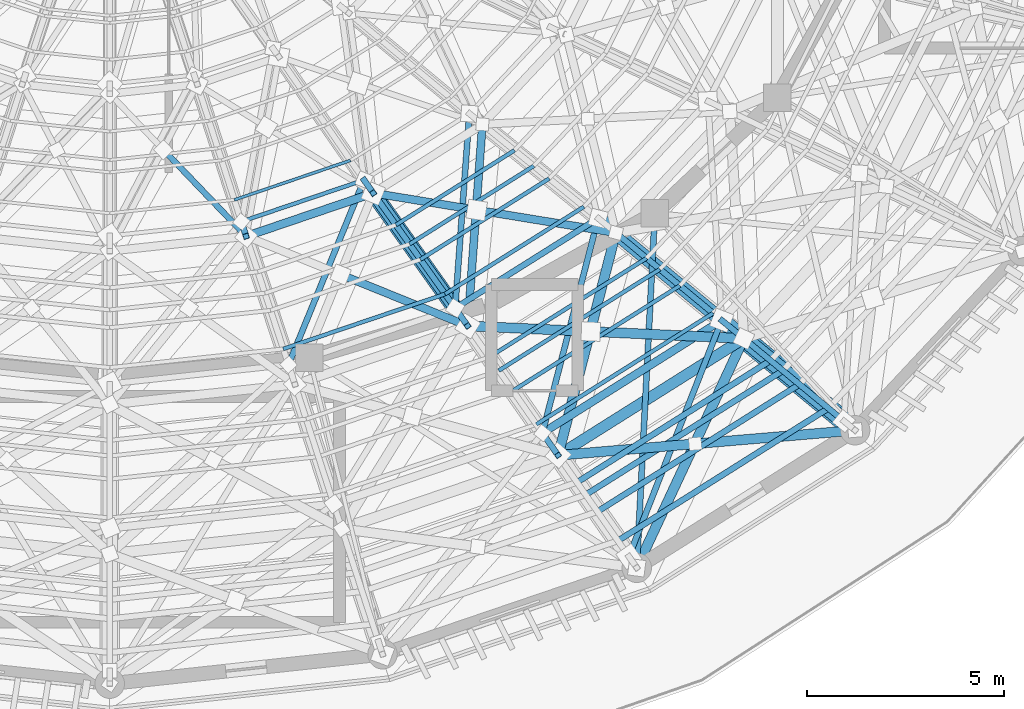
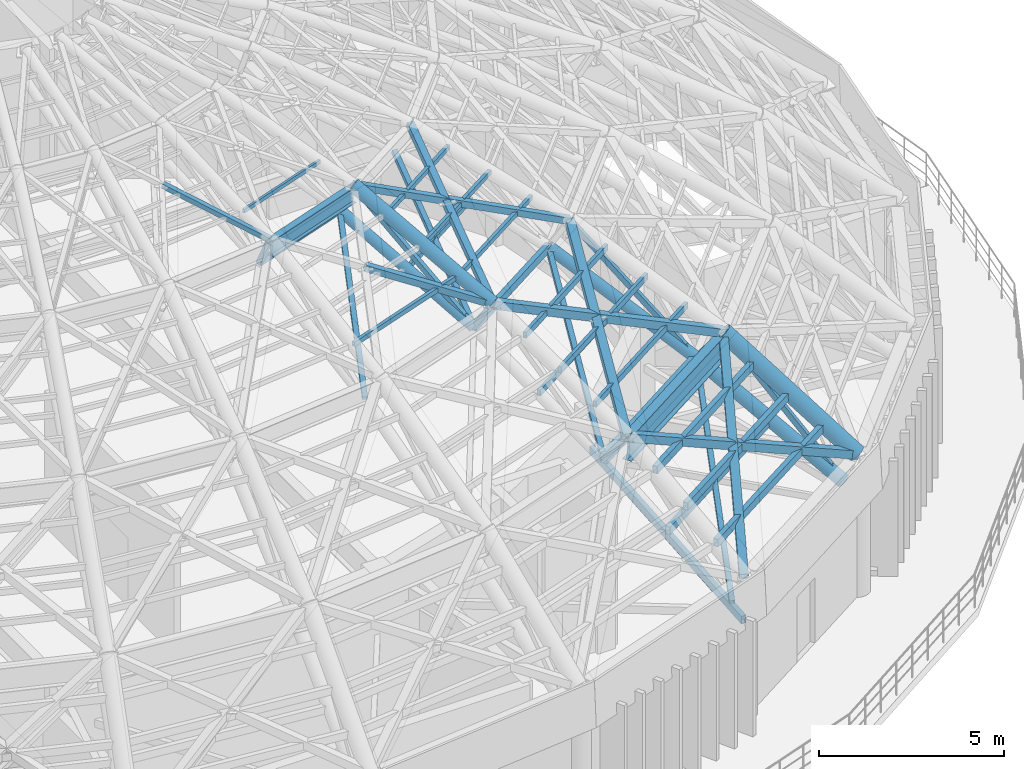
# One storey, part 16 of 50: 46 members, 2 beams.
"""IFC4 building model written with IfcOpenShell, lengths in metres."""

import ifcopenshell
import ifcopenshell.guid

model = None  # the IFC model being written
_history = None  # IfcOwnerHistory: only IFC2X3 demands one
_inside = {}  # id of a spatial element -> (the spatial element, [elements in it])
_under = {}  # id of a project, library or spatial element -> (it, [spatial elements below it])
_declared = {}  # id of a project -> (the project, [libraries it declares])
_typed = {}  # id of a type object -> (the type object, [elements of that type])
_made_of = {}  # id of a material, layer set ... -> (it, [elements and type objects made of it])


def new_model(schema):
    """Start an empty IFC model of exactly this schema.

    Asked for "IFC4X3", IfcOpenShell would pick the latest addendum, in which some entities
    have other attributes; the version numbers below select the first issue.
    IFC2X3 requires an IfcOwnerHistory on every rooted entity: one is made here for all.
    """
    global model, _history
    if schema == "IFC4X3":
        model = ifcopenshell.file(schema_version=(4, 3, 0, 0))
    else:
        model = ifcopenshell.file(schema=schema)
    _inside.clear()
    _under.clear()
    _declared.clear()
    _typed.clear()
    _made_of.clear()
    _history = None
    if model.schema == "IFC2X3":
        org = make("IfcOrganization", Name="unknown")
        user = make(
            "IfcPersonAndOrganization",
            ThePerson=make("IfcPerson", FamilyName="unknown"),
            TheOrganization=org,
        )
        app = make(
            "IfcApplication",
            ApplicationDeveloper=org,
            Version="unknown",
            ApplicationFullName="unknown",
            ApplicationIdentifier="unknown",
        )
        _history = make(
            "IfcOwnerHistory",
            OwningUser=user,
            OwningApplication=app,
            ChangeAction="ADDED",
            CreationDate=0,
        )
    return model


def make(cls, **values):
    """One entity of the class cls with the attributes given. An attribute that is None is left unset."""
    return model.create_entity(
        cls, **{name: value for name, value in values.items() if value is not None}
    )


def rooted(cls, **values):
    """An entity with a GlobalId (a new one), such as an element, a storey or a relation."""
    return make(cls, GlobalId=ifcopenshell.guid.new(), OwnerHistory=_history, **values)


def si_unit(unit_type, name, prefix=None):
    """IfcSIUnit, for example si_unit("LENGTHUNIT", "METRE", prefix="MILLI")."""
    return make("IfcSIUnit", UnitType=unit_type, Prefix=prefix, Name=name)


def assignment(units):
    """IfcUnitAssignment: the units of a project."""
    return None if units is None else make("IfcUnitAssignment", Units=units)


def point(xyz):
    """IfcCartesianPoint."""
    return None if xyz is None else make("IfcCartesianPoint", Coordinates=xyz)


def direction(xyz):
    """IfcDirection."""
    return None if xyz is None else make("IfcDirection", DirectionRatios=xyz)


def frame(location, z_axis=None, x_axis=None):
    """IfcAxis2Placement3D, a coordinate frame: its origin and axes. An axis left out is left unset."""
    return make(
        "IfcAxis2Placement3D",
        Location=point(location),
        Axis=direction(z_axis),
        RefDirection=direction(x_axis),
    )


def frame_2d(location, x_axis=None):
    """IfcAxis2Placement2D, a coordinate frame in the plane: its origin and x axis."""
    return make(
        "IfcAxis2Placement2D", Location=point(location), RefDirection=direction(x_axis)
    )


def origin():
    """The frame at (0, 0, 0) with its axes left unset."""
    return frame((0.0, 0.0, 0.0))


def origin_2d():
    """The frame at (0, 0) in the plane with its x axis left unset."""
    return frame_2d((0.0, 0.0))


def place(relative_to, where):
    """IfcLocalPlacement: puts the frame where relative to a parent placement (None: the world)."""
    return make(
        "IfcLocalPlacement", PlacementRelTo=relative_to, RelativePlacement=where
    )


def context(
    kind, dimensions, precision=None, world=None, true_north=None, identifier=None
):
    """IfcGeometricRepresentationContext, for example the 3D "Model" context."""
    return make(
        "IfcGeometricRepresentationContext",
        ContextIdentifier=identifier,
        ContextType=kind,
        CoordinateSpaceDimension=dimensions,
        Precision=precision,
        WorldCoordinateSystem=world,
        TrueNorth=true_north,
    )


def subcontext(parent, identifier, kind, view, scale=None):
    """IfcGeometricRepresentationSubContext, for example "Body" below "Model"."""
    return make(
        "IfcGeometricRepresentationSubContext",
        ContextIdentifier=identifier,
        ContextType=kind,
        ParentContext=parent,
        TargetScale=scale,
        TargetView=view,
    )


def project(units=None, contexts=None):
    """IfcProject with its units and contexts."""
    return rooted(
        "IfcProject",
        Name="project",
        RepresentationContexts=contexts,
        UnitsInContext=assignment(units),
    )


def spatial(cls, under=None, at=None, **own):
    """A site, building, storey or space (cls), placed at a placement, below another one or the project."""
    s = rooted(cls, ObjectPlacement=at, **own)
    if under is not None:
        _under.setdefault(under.id(), (under, []))[1].append(s)
    return s


def profile(cls, at=None, kind="AREA", **sizes):
    """A parametric profile (cls). Its sizes go by their IFC names, for example OverallWidth=200.0."""
    return make(cls, ProfileType=kind, Position=at, **sizes)


def hollow_rectangle(**sizes):
    """IfcRectangleHollowProfileDef."""
    return profile("IfcRectangleHollowProfileDef", **sizes)


def hollow_circle(**sizes):
    """IfcCircleHollowProfileDef."""
    return profile("IfcCircleHollowProfileDef", **sizes)


def i_section(**sizes):
    """IfcIShapeProfileDef."""
    return profile("IfcIShapeProfileDef", **sizes)


def extrude(swept, where, along, depth):
    """IfcExtrudedAreaSolid: the profile swept, set in the frame where, extruded along a direction by depth."""
    return make(
        "IfcExtrudedAreaSolid",
        SweptArea=swept,
        Position=where,
        ExtrudedDirection=direction(along),
        Depth=depth,
    )


def shape(context_of_items, identifier, shape_type, items):
    """IfcShapeRepresentation: the items that make up one representation, for example the "Body"."""
    return make(
        "IfcShapeRepresentation",
        ContextOfItems=context_of_items,
        RepresentationIdentifier=identifier,
        RepresentationType=shape_type,
        Items=items,
    )


def material(Name=None, Category=None):
    """IfcMaterial."""
    return make("IfcMaterial", Name=Name, Category=Category)


def material_profile(
    of_material, cross_section, Name=None, Category=None, Priority=None
):
    """IfcMaterialProfile: a cross section and its material."""
    return make(
        "IfcMaterialProfile",
        Name=Name,
        Material=of_material,
        Profile=cross_section,
        Priority=Priority,
        Category=Category,
    )


def profile_set(profiles, Name=None, composite=None):
    """IfcMaterialProfileSet."""
    return make(
        "IfcMaterialProfileSet",
        Name=Name,
        MaterialProfiles=profiles,
        CompositeProfile=composite,
    )


def made_of(thing, what):
    """Note that an element or type object is made of a material, layer set ...; save() writes the relation."""
    if what is not None:
        _made_of.setdefault(what.id(), (what, []))[1].append(thing)
    return thing


def type_object(cls, material=None, **own):
    """A type object (cls), such as IfcWallType, which elements share."""
    return made_of(rooted(cls, **own), material)


def element(
    cls,
    number,
    at=None,
    inside=None,
    cuts=None,
    type_object=None,
    material=None,
    context=None,
    identifier="Body",
    shape_type=None,
    held_by="IfcProductDefinitionShape",
    body=None,
    shapes=None,
    **own,
):
    """One element of the class cls, such as IfcWall. Its Tag is "e" and its number.

    at: its placement. inside: the storey or other place that contains it. cuts: it is an
    opening in that element (IfcRelVoidsElement). A single representation is given by context,
    identifier, shape_type and body (its items); several are given by shapes. held_by: the class
    of the entity that holds the representations. save() writes the other relations.
    """
    e = rooted(cls, Tag="e%d" % number, ObjectPlacement=at, **own)
    if body is not None:
        shapes = [shape(context, identifier, shape_type, body)]
    if shapes is not None:
        e.Representation = make(held_by, Representations=shapes)
    if inside is not None:
        _inside.setdefault(inside.id(), (inside, []))[1].append(e)
    if cuts is not None:
        rooted(
            "IfcRelVoidsElement", RelatingBuildingElement=cuts, RelatedOpeningElement=e
        )
    if type_object is not None:
        _typed.setdefault(type_object.id(), (type_object, []))[1].append(e)
    return made_of(e, material)


def aggregate(whole, parts):
    """IfcRelAggregates: a whole, such as a stair, and the parts it consists of."""
    return rooted("IfcRelAggregates", RelatingObject=whole, RelatedObjects=parts)


def save(model, path):
    """Write the relations noted so far, then the file.

    IfcRelAggregates (storeys below a building ...), IfcRelContainedInSpatialStructure (elements
    in a storey), IfcRelDefinesByType, IfcRelAssociatesMaterial and IfcRelDeclares: one each for
    every whole, place, type object, material and project.
    """
    for whole, parts in _under.values():
        aggregate(whole, parts)
    for where, things in _inside.values():
        rooted(
            "IfcRelContainedInSpatialStructure",
            RelatedElements=things,
            RelatingStructure=where,
        )
    for kind, things in _typed.values():
        rooted("IfcRelDefinesByType", RelatedObjects=things, RelatingType=kind)
    for what, things in _made_of.values():
        rooted("IfcRelAssociatesMaterial", RelatedObjects=things, RelatingMaterial=what)
    for by, libraries in _declared.values():
        rooted("IfcRelDeclares", RelatingContext=by, RelatedDefinitions=libraries)
    model.write(path)


model = new_model("IFC4")

# Units and contexts
model_context = context("Model", 3, precision=1e-05, world=origin(), true_north=direction((0.0, 1.0)))
body_context = subcontext(model_context, "Body", "Model", "MODEL_VIEW")
ifc_project = project(units=[si_unit("LENGTHUNIT", "METRE"), si_unit("AREAUNIT", "SQUARE_METRE"), si_unit("VOLUMEUNIT", "CUBIC_METRE"), si_unit("PLANEANGLEUNIT", "RADIAN"), si_unit("MASSUNIT", "GRAM", prefix="KILO")], contexts=[model_context])

# Site, building, storey
site_placement = place(None, origin())
site = spatial("IfcSite", under=ifc_project, at=site_placement, CompositionType="ELEMENT")
building_placement = place(site_placement, origin())
building = spatial("IfcBuilding", under=site, at=building_placement, Name="Cinderbank Siding Concert Hall", CompositionType="ELEMENT")
storey_placement = place(building_placement, frame((0.0, 0.0, 23.699951171875)))
storey = spatial("IfcBuildingStorey", under=building, at=storey_placement, Name="L06", CompositionType="ELEMENT", Elevation=23.699951171875)

# Beams
ifc_material_1 = material(Name="Structural steel AS/NZS 3679.1 Grade 350 (340 MPa)", Category="steel")
ifc_material_profile_1 = material_profile(ifc_material_1, i_section(OverallWidth=0.208984375, OverallDepth=0.532958984375, WebThickness=0.01025390625, FlangeThickness=0.015625, at=origin_2d()), Name="530UB92.4", Category="LoadBearing")
ifc_profile_set_1 = profile_set([ifc_material_profile_1], Name="Structural steel AS/NZS 3679.1 Grade 350 (340 MPa)")
beam_type_1 = type_object("IfcBeamType", Name="BM-UB530H 530UB92.4", PredefinedType="BEAM", material=ifc_profile_set_1)
beam_1_placement = place(storey_placement, frame((125.46826171875, 33.374755859375, 13.733642578125), z_axis=(0.946763589156, 0.321929660406, 0.0), x_axis=(-0.321929660406, 0.946763589156, 0.0)))
element("IfcBeam", 1, at=beam_1_placement, inside=storey, type_object=beam_type_1, Name="L06 Beam BM-UB530H #2089", PredefinedType="BEAM", context=body_context, shape_type="SweptSolid", body=[
    extrude(i_section(OverallWidth=0.208984375, OverallDepth=0.532958984375, WebThickness=0.01025390625, FlangeThickness=0.015625, at=origin_2d()), origin(), (0.0, 0.0, 1.0), 3.413330078125),
])
ifc_material_2 = material(Name="Structural steel welded plate section AS/NZS 3679.2 / AS/NZS 3678 Grade 350 (340 MPa)", Category="steel")
ifc_material_profile_2 = material_profile(ifc_material_2, i_section(OverallWidth=0.27490234375, OverallDepth=0.800048828125, WebThickness=0.010009765625, FlangeThickness=0.01611328125, at=origin_2d()), Name="800WB146", Category="LoadBearing")
ifc_profile_set_2 = profile_set([ifc_material_profile_2], Name="Structural steel welded plate section AS/NZS 3679.2 / AS/NZS 3678 Grade 350 (340 MPa)")
beam_type_2 = type_object("IfcBeamType", Name="BM-WB800 800WB146", PredefinedType="BEAM", material=ifc_profile_set_2)
beam_2_placement = place(storey_placement, frame((133.39990234375, 27.805419921875, 7.699951171875), z_axis=(0.846357040172, 0.532615959723, 0.0), x_axis=(-0.532615959723, 0.846357040172, 0.0)))
element("IfcBeam", 2, at=beam_2_placement, inside=storey, type_object=beam_type_2, Name="L06 Beam BM-WB800 #2053", PredefinedType="BEAM", context=body_context, shape_type="SweptSolid", body=[
    extrude(i_section(OverallWidth=0.27490234375, OverallDepth=0.800048828125, WebThickness=0.010009765625, FlangeThickness=0.01611328125, at=origin_2d()), origin(), (0.0, 0.0, 1.0), 5.579345703125),
])

# Members
ifc_material_3 = material(Name="Structural steel hollow section AS/NZS 1163 Grade C350L0 (350 MPa)", Category="steel")
ifc_material_profile_3 = material_profile(ifc_material_3, hollow_rectangle(XDim=0.14990234375, YDim=0.14990234375, WallThickness=0.008056640625, at=origin_2d()), Name="150x150x8.0SHS", Category="LoadBearing")
ifc_profile_set_3 = profile_set([ifc_material_profile_3], Name="Structural steel hollow section AS/NZS 1163 Grade C350L0 (350 MPa)")
member_type_1 = type_object("IfcMemberType", Name="BR-SHS150 150x150x8.0SHS Roof Truss", PredefinedType="BRACE", material=ifc_profile_set_3)
member_1_placement = place(storey_placement, frame((135.198974609375, 25.233154296875, 3.550048828125), z_axis=(0.319214358901, 0.812870015153, 0.48718018385), x_axis=(-0.930801146267, 0.365525958187, 0.0)))
element("IfcMember", 3, at=member_1_placement, inside=storey, type_object=member_type_1, Name="L06 Diagonal Brace BR-SHS150 #DBRI-BR-SHS150-L06-0779", PredefinedType="BRACE", context=body_context, shape_type="SweptSolid", body=[
    extrude(hollow_rectangle(XDim=0.14990234375, YDim=0.14990234375, WallThickness=0.008056640625, at=origin_2d()), origin(), (0.0, 0.0, 1.0), 7.3896484375),
])
member_2_placement = place(storey_placement, frame((140.666259765625, 28.677001953125, 3.550048828125), z_axis=(-0.452689460035, 0.373671887076, 0.80959346192), x_axis=(-0.636588791364, -0.771203417206, 0.0)))
element("IfcMember", 4, at=member_2_placement, inside=storey, type_object=member_type_1, Name="L06 Diagonal Brace BR-SHS150 #DWBD-BR-SHS150-L06-0782", PredefinedType="BRACE", context=body_context, shape_type="SweptSolid", body=[
    extrude(hollow_rectangle(XDim=0.14990234375, YDim=0.14990234375, WallThickness=0.008056640625, at=origin_2d()), origin(), (0.0, 0.0, 1.0), 5.6201171875),
])
member_3_placement = place(storey_placement, frame((133.0009765625, 28.3720703125, 7.150146484375), z_axis=(0.339263613147, -0.481903822592, 0.807879264845), x_axis=(0.817689723115, 0.575659201883, 0.0)))
element("IfcMember", 5, at=member_3_placement, inside=storey, type_object=member_type_1, Name="L06 Diagonal Brace BR-SHS150 #DWBV-BR-SHS150-L06-1061", PredefinedType="BRACE", context=body_context, shape_type="SweptSolid", body=[
    extrude(hollow_rectangle(XDim=0.14990234375, YDim=0.14990234375, WallThickness=0.008056640625, at=origin_2d()), origin(), (0.0, 0.0, 1.0), 1.17578125),
])
member_4_placement = place(storey_placement, frame((133.0009765625, 28.3720703125, 7.150146484375), z_axis=(0.218609609526, 0.841918000325, 0.493339557862), x_axis=(-0.967903390701, 0.251322554238, 0.0)))
element("IfcMember", 6, at=member_4_placement, inside=storey, type_object=member_type_1, Name="L06 Diagonal Brace BR-SHS150 #DBRI-BR-SHS150-L06-1067", PredefinedType="BRACE", context=body_context, shape_type="SweptSolid", body=[
    extrude(hollow_rectangle(XDim=0.14990234375, YDim=0.14990234375, WallThickness=0.008056640625, at=origin_2d()), origin(), (0.0, 0.0, 1.0), 6.486328125),
])
member_5_placement = place(storey_placement, frame((137.557861328125, 31.239990234375, 7.150146484375), z_axis=(-0.495860875676, 0.410215453815, 0.765405300103), x_axis=(-0.637427368277, -0.770510447801, 0.0)))
element("IfcMember", 7, at=member_5_placement, inside=storey, type_object=member_type_1, Name="L06 Diagonal Brace BR-SHS150 #DWBD-BR-SHS150-L06-1070", PredefinedType="BRACE", context=body_context, shape_type="SweptSolid", body=[
    extrude(hollow_rectangle(XDim=0.14990234375, YDim=0.14990234375, WallThickness=0.008056640625, at=origin_2d()), origin(), (0.0, 0.0, 1.0), 5.421875),
])
member_6_placement = place(storey_placement, frame((137.557861328125, 31.239990234375, 7.150146484375), z_axis=(0.470991454389, -0.386412720693, 0.793002054966), x_axis=(0.634275599208, 0.77310701992, 0.0)))
element("IfcMember", 8, at=member_6_placement, inside=storey, type_object=member_type_1, Name="L06 Diagonal Brace BR-SHS150 #DWBV-BR-SHS150-L06-1073", PredefinedType="BRACE", context=body_context, shape_type="SweptSolid", body=[
    extrude(hollow_rectangle(XDim=0.14990234375, YDim=0.14990234375, WallThickness=0.008056640625, at=origin_2d()), origin(), (0.0, 0.0, 1.0), 1.197998046875),
])
member_7_placement = place(storey_placement, frame((126.545654296875, 30.111328125, 10.35009765625), z_axis=(0.334081988088, 0.817107446449, 0.469813416361), x_axis=(-0.925622062942, 0.378449199489, 0.0)))
element("IfcMember", 9, at=member_7_placement, inside=storey, type_object=member_type_1, Name="L06 Diagonal Brace BR-SHS150 #DBRI-BR-SHS150-L06-1343", PredefinedType="BRACE", context=body_context, shape_type="SweptSolid", body=[
    extrude(hollow_rectangle(XDim=0.14990234375, YDim=0.14990234375, WallThickness=0.008056640625, at=origin_2d()), origin(), (0.0, 0.0, 1.0), 5.746826171875),
])
member_8_placement = place(storey_placement, frame((130.781494140625, 31.5478515625, 10.35009765625), z_axis=(-0.406548227024, 0.57143724521, 0.712866056065), x_axis=(-0.814825428758, -0.579706409011, 0.0)))
element("IfcMember", 10, at=member_8_placement, inside=storey, type_object=member_type_1, Name="L06 Diagonal Brace BR-SHS150 #DWBD-BR-SHS150-L06-1346", PredefinedType="BRACE", context=body_context, shape_type="SweptSolid", body=[
    extrude(hollow_rectangle(XDim=0.14990234375, YDim=0.14990234375, WallThickness=0.008056640625, at=origin_2d()), origin(), (0.0, 0.0, 1.0), 5.1201171875),
])
member_9_placement = place(storey_placement, frame((130.781494140625, 31.5478515625, 10.35009765625), z_axis=(0.289889748337, -0.41095481565, 0.864337939294), x_axis=(0.817151439928, 0.57642304276, 0.0)))
element("IfcMember", 11, at=member_9_placement, inside=storey, type_object=member_type_1, Name="L06 Diagonal Brace BR-SHS150 #DWBV-BR-SHS150-L06-1349", PredefinedType="BRACE", context=body_context, shape_type="SweptSolid", body=[
    extrude(hollow_rectangle(XDim=0.14990234375, YDim=0.14990234375, WallThickness=0.008056640625, at=origin_2d()), origin(), (0.0, 0.0, 1.0), 1.09912109375),
])
member_10_placement = place(storey_placement, frame((130.781494140625, 31.5478515625, 10.35009765625), z_axis=(0.064117576475, 0.87594207645, 0.478136397999), x_axis=(-0.997331713368, 0.073003106166, 0.0)))
element("IfcMember", 12, at=member_10_placement, inside=storey, type_object=member_type_1, Name="L06 Diagonal Brace BR-SHS150 #DBRI-BR-SHS150-L06-1355", PredefinedType="BRACE", context=body_context, shape_type="SweptSolid", body=[
    extrude(hollow_rectangle(XDim=0.14990234375, YDim=0.14990234375, WallThickness=0.008056640625, at=origin_2d()), origin(), (0.0, 0.0, 1.0), 5.646728515625),
])
member_11_placement = place(storey_placement, frame((125.46826171875, 33.374755859375, 14.0), z_axis=(-0.642126011893, 0.671205104397, 0.370348339651), x_axis=(-0.722586070263, -0.691280963908, 0.0)))
element("IfcMember", 13, at=member_11_placement, inside=storey, type_object=member_type_1, Name="L06 Diagonal Brace BR-SHS150 #DBRO-BR-SHS150-L06-1618", PredefinedType="BRACE", context=body_context, shape_type="SweptSolid", body=[
    extrude(hollow_rectangle(XDim=0.14990234375, YDim=0.14990234375, WallThickness=0.008056640625, at=origin_2d()), origin(), (0.0, 0.0, 1.0), 3.2744140625),
])
member_12_placement = place(storey_placement, frame((125.3466796875, 33.74658203125, 13.050048828125), z_axis=(0.118345506347, -0.361928124833, 0.924663383931), x_axis=(0.950477599938, 0.310793069448, 0.0)))
element("IfcMember", 14, at=member_12_placement, inside=storey, type_object=member_type_1, Name="L06 Diagonal Brace BR-SHS150 #DWBV-BR-SHS150-L06-1625", PredefinedType="BRACE", context=body_context, shape_type="SweptSolid", body=[
    extrude(hollow_rectangle(XDim=0.14990234375, YDim=0.14990234375, WallThickness=0.008056640625, at=origin_2d()), origin(), (0.0, 0.0, 1.0), 1.02734375),
])
member_13_placement = place(storey_placement, frame((128.465576171875, 34.80712890625, 13.050048828125), z_axis=(0.226731640605, -0.322620230278, 0.918971680828), x_axis=(0.81816123583, 0.574988862662, 0.0)))
element("IfcMember", 15, at=member_13_placement, inside=storey, type_object=member_type_1, Name="L06 Diagonal Brace BR-SHS150 #DWBV-BR-SHS150-L06-1637", PredefinedType="BRACE", context=body_context, shape_type="SweptSolid", body=[
    extrude(hollow_rectangle(XDim=0.14990234375, YDim=0.14990234375, WallThickness=0.008056640625, at=origin_2d()), origin(), (0.0, 0.0, 1.0), 1.03369140625),
])
ifc_material_profile_4 = material_profile(ifc_material_3, hollow_rectangle(XDim=0.199951171875, YDim=0.199951171875, WallThickness=0.009033203125, at=origin_2d()), Name="200x200x9.0SHS", Category="LoadBearing")
ifc_profile_set_4 = profile_set([ifc_material_profile_4], Name="Structural steel hollow section AS/NZS 1163 Grade C350L0 (350 MPa)")
member_type_2 = type_object("IfcMemberType", Name="BR-SHS200 200x200x9.0SHS Roof Truss", PredefinedType="BRACE", material=ifc_profile_set_4)
member_14_placement = place(storey_placement, frame((131.10009765625, 31.09619140625, 11.300048828125), z_axis=(-0.847110005353, 0.342748324795, 0.406113561312), x_axis=(-0.375070958437, -0.926996103626, 0.0)))
element("IfcMember", 16, at=member_14_placement, inside=storey, type_object=member_type_2, Name="L06 Diagonal Brace BR-SHS200 #DBRO-BR-SHS200-L06-1342", PredefinedType="BRACE", context=body_context, shape_type="SweptSolid", body=[
    extrude(hollow_rectangle(XDim=0.199951171875, YDim=0.199951171875, WallThickness=0.009033203125, at=origin_2d()), origin(), (0.0, 0.0, 1.0), 3.814453125),
])
member_15_placement = place(storey_placement, frame((131.10009765625, 31.09619140625, 11.300048828125), z_axis=(0.064596640032, 0.882904857307, 0.465087397207), x_axis=(-0.997334229545, 0.072968723282, 0.0)))
element("IfcMember", 17, at=member_15_placement, inside=storey, type_object=member_type_2, Name="L06 Diagonal Brace BR-SHS200 #DBRO-BR-SHS200-L06-1353", PredefinedType="BRACE", context=body_context, shape_type="SweptSolid", body=[
    extrude(hollow_rectangle(XDim=0.199951171875, YDim=0.199951171875, WallThickness=0.009033203125, at=origin_2d()), origin(), (0.0, 0.0, 1.0), 5.80517578125),
])
member_16_placement = place(storey_placement, frame((134.869384765625, 33.464111328125, 11.300048828125), z_axis=(-0.905988027442, 0.148227590088, 0.396502554429), x_axis=(-0.161462050118, -0.98687892184, 0.0)))
element("IfcMember", 18, at=member_16_placement, inside=storey, type_object=member_type_2, Name="L06 Diagonal Brace BR-SHS200 #DBRO-BR-SHS200-L06-1354", PredefinedType="BRACE", context=body_context, shape_type="SweptSolid", body=[
    extrude(hollow_rectangle(XDim=0.199951171875, YDim=0.199951171875, WallThickness=0.009033203125, at=origin_2d()), origin(), (0.0, 0.0, 1.0), 3.90673828125),
])
member_17_placement = place(storey_placement, frame((131.302734375, 34.0478515625, 12.86083984375), z_axis=(-0.905983058985, 0.148206965094, 0.396521616473), x_axis=(-0.16144103148, -0.986882360443, 0.0)))
element("IfcMember", 19, at=member_17_placement, inside=storey, type_object=member_type_2, Name="L06 Diagonal Brace BR-SHS200 #DBRO-BR-SHS200-L06-1354-S125", PredefinedType="BRACE", context=body_context, shape_type="SweptSolid", body=[
    extrude(hollow_rectangle(XDim=0.199951171875, YDim=0.199951171875, WallThickness=0.009033203125, at=origin_2d()), origin(), (0.0, 0.0, 1.0), 2.872802734375),
])
ifc_material_profile_5 = material_profile(ifc_material_3, hollow_rectangle(XDim=0.25, YDim=0.25, WallThickness=0.010009765625, at=origin_2d()), Name="250x250x10.0SHS", Category="LoadBearing")
ifc_profile_set_5 = profile_set([ifc_material_profile_5], Name="Structural steel hollow section AS/NZS 1163 Grade C350L0 (350 MPa)")
member_type_3 = type_object("IfcMemberType", Name="BR-SHS250 250x250x10.0SHS Roof Truss", PredefinedType="BRACE", material=ifc_profile_set_5)
member_18_placement = place(storey_placement, frame((135.39990234375, 24.947509765625, 4.5), z_axis=(0.36922839474, 0.790711713866, 0.488308691376), x_axis=(-0.906082293355, 0.42310149807, 0.0)))
element("IfcMember", 20, at=member_18_placement, inside=storey, type_object=member_type_3, Name="L06 Diagonal Brace BR-SHS250 #DBRO-BR-SHS250-L06-0777", PredefinedType="BRACE", context=body_context, shape_type="SweptSolid", body=[
    extrude(hollow_rectangle(XDim=0.25, YDim=0.25, WallThickness=0.010009765625, at=origin_2d()), origin(), (0.0, 0.0, 1.0), 7.37255859375),
])
member_19_placement = place(storey_placement, frame((140.950439453125, 28.443603515625, 4.5), z_axis=(-0.900022083522, -0.076091695304, 0.429150676429), x_axis=(0.084243714025, -0.996445179951, 0.0)))
element("IfcMember", 21, at=member_19_placement, inside=storey, type_object=member_type_3, Name="L06 Diagonal Brace BR-SHS250 #DBRO-BR-SHS250-L06-0778", PredefinedType="BRACE", context=body_context, shape_type="SweptSolid", body=[
    extrude(hollow_rectangle(XDim=0.25, YDim=0.25, WallThickness=0.010009765625, at=origin_2d()), origin(), (0.0, 0.0, 1.0), 4.517578125),
])
member_20_placement = place(storey_placement, frame((136.857421875, 28.09765625, 6.45166015625), z_axis=(-0.900042078535, -0.076073320718, 0.4291119979), x_axis=(0.084221657409, -0.996447044465, 0.0)))
element("IfcMember", 22, at=member_20_placement, inside=storey, type_object=member_type_3, Name="L06 Diagonal Brace BR-SHS250 #DBRO-BR-SHS250-L06-0778-S77", PredefinedType="BRACE", context=body_context, shape_type="SweptSolid", body=[
    extrude(hollow_rectangle(XDim=0.25, YDim=0.25, WallThickness=0.010009765625, at=origin_2d()), origin(), (0.0, 0.0, 1.0), 3.841552734375),
])
member_21_placement = place(storey_placement, frame((133.39990234375, 27.805419921875, 8.10009765625), z_axis=(0.220483365495, 0.849038618616, 0.480125514462), x_axis=(-0.96789650195, 0.251349082977, 0.0)))
element("IfcMember", 23, at=member_21_placement, inside=storey, type_object=member_type_3, Name="L06 Diagonal Brace BR-SHS250 #DBRO-BR-SHS250-L06-1065", PredefinedType="BRACE", context=body_context, shape_type="SweptSolid", body=[
    extrude(hollow_rectangle(XDim=0.25, YDim=0.25, WallThickness=0.010009765625, at=origin_2d()), origin(), (0.0, 0.0, 1.0), 6.664794921875),
])
member_22_placement = place(storey_placement, frame((138.1220703125, 30.777099609375, 8.10009765625), z_axis=(-0.909202593145, 0.041298869279, 0.414300673443), x_axis=(-0.045376388225, -0.998969961206, 0.0)))
element("IfcMember", 24, at=member_22_placement, inside=storey, type_object=member_type_3, Name="L06 Diagonal Brace BR-SHS250 #DBRO-BR-SHS250-L06-1066", PredefinedType="BRACE", context=body_context, shape_type="SweptSolid", body=[
    extrude(hollow_rectangle(XDim=0.25, YDim=0.25, WallThickness=0.010009765625, at=origin_2d()), origin(), (0.0, 0.0, 1.0), 4.280029296875),
])
member_23_placement = place(storey_placement, frame((134.20361328125, 30.955078125, 9.8857421875), z_axis=(-0.909188573793, 0.041339757367, 0.414327360603), x_axis=(-0.04542191957, -0.998967891988, 0.0)))
element("IfcMember", 25, at=member_23_placement, inside=storey, type_object=member_type_3, Name="L06 Diagonal Brace BR-SHS250 #DBRO-BR-SHS250-L06-1066-S101", PredefinedType="BRACE", context=body_context, shape_type="SweptSolid", body=[
    extrude(hollow_rectangle(XDim=0.25, YDim=0.25, WallThickness=0.010009765625, at=origin_2d()), origin(), (0.0, 0.0, 1.0), 3.41357421875),
])
ifc_material_profile_6 = material_profile(ifc_material_3, hollow_circle(Radius=0.161865234375, WallThickness=0.0126953125, at=origin_2d()), Name="323.9x12.7CHS", Category="LoadBearing")
ifc_profile_set_6 = profile_set([ifc_material_profile_6], Name="Structural steel hollow section AS/NZS 1163 Grade C350L0 (350 MPa)")
member_type_4 = type_object("IfcMemberType", Name="DR-CHS323 323.9x12.7CHS Roof Truss", PredefinedType="RAFTER", material=ifc_profile_set_6)
member_24_placement = place(storey_placement, frame((130.781494140625, 31.5478515625, 10.35009765625), z_axis=(-0.480029640001, 0.675563535105, 0.55962974792), x_axis=(-0.815166751467, -0.57922635239, 0.0)))
element("IfcMember", 26, at=member_24_placement, inside=storey, type_object=member_type_4, Name="L06 Roof Truss Member DR-CHS323 #1345", PredefinedType="RAFTER", context=body_context, shape_type="SweptSolid", body=[
    extrude(hollow_circle(Radius=0.161865234375, WallThickness=0.0126953125, at=origin_2d()), origin(), (0.0, 0.0, 1.0), 4.824462890625),
])
ifc_material_profile_7 = material_profile(ifc_material_3, hollow_circle(Radius=0.177734375, WallThickness=0.0126953125, at=origin_2d()), Name="355.6x12.7CHS", Category="LoadBearing")
ifc_profile_set_7 = profile_set([ifc_material_profile_7], Name="Structural steel hollow section AS/NZS 1163 Grade C350L0 (350 MPa)")
member_type_5 = type_object("IfcMemberType", Name="DR-CHS355 355.6x12.7CHS Roof Truss", PredefinedType="RAFTER", material=ifc_profile_set_7)
member_25_placement = place(storey_placement, frame((137.557861328125, 31.239990234375, 7.150146484375), z_axis=(-0.606151109614, 0.500733525333, 0.61793751215), x_axis=(-0.636881446996, -0.770961751627, 0.0)))
element("IfcMember", 27, at=member_25_placement, inside=storey, type_object=member_type_5, Name="L06 Roof Truss Member DR-CHS355 #1069", PredefinedType="RAFTER", context=body_context, shape_type="SweptSolid", body=[
    extrude(hollow_circle(Radius=0.177734375, WallThickness=0.0126953125, at=origin_2d()), origin(), (0.0, 0.0, 1.0), 5.178466796875),
])
ifc_material_profile_8 = material_profile(ifc_material_3, hollow_circle(Radius=0.203125, WallThickness=0.01611328125, at=origin_2d()), Name="406.4x16.0CHS", Category="LoadBearing")
ifc_profile_set_8 = profile_set([ifc_material_profile_8], Name="Structural steel hollow section AS/NZS 1163 Grade C350L0 (350 MPa)")
member_type_6 = type_object("IfcMemberType", Name="DR-CHS406 406.4x16.0CHS Roof Truss", PredefinedType="RAFTER", material=ifc_profile_set_8)
member_26_placement = place(storey_placement, frame((140.666259765625, 28.677001953125, 3.550048828125), z_axis=(-0.575316188818, 0.474369254651, 0.666322064115), x_axis=(-0.636170191189, -0.771548759213, 0.0)))
element("IfcMember", 28, at=member_26_placement, inside=storey, type_object=member_type_6, Name="L06 Roof Truss Member DR-CHS406 #781", PredefinedType="RAFTER", context=body_context, shape_type="SweptSolid", body=[
    extrude(hollow_circle(Radius=0.203125, WallThickness=0.01611328125, at=origin_2d()), origin(), (0.0, 0.0, 1.0), 5.40283203125),
])
member_27_placement = place(storey_placement, frame((131.10009765625, 31.09619140625, 11.300048828125), z_axis=(-0.485323447255, 0.682938111008, 0.545945682351), x_axis=(-0.815136478284, -0.579268954606, 0.0)))
element("IfcMember", 29, at=member_27_placement, inside=storey, type_object=member_type_6, Name="L06 Roof Truss Member DR-CHS406 #1344", PredefinedType="RAFTER", context=body_context, shape_type="SweptSolid", body=[
    extrude(hollow_circle(Radius=0.203125, WallThickness=0.01611328125, at=origin_2d()), origin(), (0.0, 0.0, 1.0), 4.945556640625),
])
ifc_material_profile_9 = material_profile(ifc_material_3, hollow_circle(Radius=0.25390625, WallThickness=0.01611328125, at=origin_2d()), Name="508.0x16.0CHS", Category="LoadBearing")
ifc_profile_set_9 = profile_set([ifc_material_profile_9], Name="Structural steel hollow section AS/NZS 1163 Grade C350L0 (350 MPa)")
member_type_7 = type_object("IfcMemberType", Name="DR-CHS508 508.0x16.0CHS Roof Truss", PredefinedType="RAFTER", material=ifc_profile_set_9)
member_28_placement = place(storey_placement, frame((140.950439453125, 28.443603515625, 4.5), z_axis=(-0.550412440768, 0.454108080177, 0.700594031209), x_axis=(-0.636397811369, -0.771361021627, 0.0)))
element("IfcMember", 30, at=member_28_placement, inside=storey, type_object=member_type_7, Name="L06 Roof Truss Member DR-CHS508 #780", PredefinedType="RAFTER", context=body_context, shape_type="SweptSolid", body=[
    extrude(hollow_circle(Radius=0.25390625, WallThickness=0.01611328125, at=origin_2d()), origin(), (0.0, 0.0, 1.0), 5.138671875),
])
ifc_material_profile_10 = material_profile(ifc_material_3, hollow_rectangle(XDim=0.074951171875, YDim=0.125, WallThickness=0.0048828125, at=origin_2d()), Name="125x75x5.0RHS", Category="LoadBearing")
ifc_profile_set_10 = profile_set([ifc_material_profile_10], Name="Structural steel hollow section AS/NZS 1163 Grade C350L0 (350 MPa)")
member_type_8 = type_object("IfcMemberType", Name="PR-RHS125 125x75x5.0RHS Roof Truss", PredefinedType="PURLIN", material=ifc_profile_set_10)
member_29_placement = place(storey_placement, frame((125.169921875, 34.302001953125, 14.47998046875), z_axis=(0.946891929051, 0.321551978221, 0.0), x_axis=(-0.321551978221, 0.946891929051, 0.0)))
element("IfcMember", 31, at=member_29_placement, inside=storey, type_object=member_type_8, Name="L06 Roof Truss Member PR-RHS125 #1626", PredefinedType="PURLIN", context=body_context, shape_type="SweptSolid", body=[
    extrude(hollow_rectangle(XDim=0.074951171875, YDim=0.125, WallThickness=0.0048828125, at=origin_2d()), origin(), (0.0, 0.0, 1.0), 3.119873046875),
])
ifc_material_profile_11 = material_profile(ifc_material_3, hollow_rectangle(XDim=0.10009765625, YDim=0.14990234375, WallThickness=0.006103515625, at=origin_2d()), Name="150x100x6.0RHS", Category="LoadBearing")
ifc_profile_set_11 = profile_set([ifc_material_profile_11], Name="Structural steel hollow section AS/NZS 1163 Grade C350L0 (350 MPa)")
member_type_9 = type_object("IfcMemberType", Name="PR-RHS150 150x100x6.0RHS Roof Truss", PredefinedType="PURLIN", material=ifc_profile_set_11)
member_30_placement = place(storey_placement, frame((126.412353515625, 30.51171875, 11.947998046875), z_axis=(0.94697717274, 0.321300847042, 0.0), x_axis=(-0.321300847042, 0.94697717274, 0.0)))
element("IfcMember", 32, at=member_30_placement, inside=storey, type_object=member_type_9, Name="L06 Roof Truss Member PR-RHS150 #1338", PredefinedType="PURLIN", context=body_context, shape_type="SweptSolid", body=[
    extrude(hollow_rectangle(XDim=0.10009765625, YDim=0.14990234375, WallThickness=0.006103515625, at=origin_2d()), origin(), (0.0, 0.0, 1.0), 4.341796875),
])
member_31_placement = place(storey_placement, frame((129.62353515625, 33.177490234375, 11.699951171875), z_axis=(0.84648739404, 0.532408763763, 0.0), x_axis=(-0.532408763763, 0.84648739404, 0.0)))
element("IfcMember", 33, at=member_31_placement, inside=storey, type_object=member_type_9, Name="L06 Roof Truss Member PR-RHS150 #1348", PredefinedType="PURLIN", context=body_context, shape_type="SweptSolid", body=[
    extrude(hollow_rectangle(XDim=0.10009765625, YDim=0.14990234375, WallThickness=0.006103515625, at=origin_2d()), origin(), (0.0, 0.0, 1.0), 3.73046875),
])
member_32_placement = place(storey_placement, frame((130.52392578125, 31.90673828125, 11.947998046875), z_axis=(0.84664709978, 0.532154759853, 0.0), x_axis=(-0.532154759853, 0.84664709978, 0.0)))
element("IfcMember", 34, at=member_32_placement, inside=storey, type_object=member_type_9, Name="L06 Roof Truss Member PR-RHS150 #1350", PredefinedType="PURLIN", context=body_context, shape_type="SweptSolid", body=[
    extrude(hollow_rectangle(XDim=0.10009765625, YDim=0.14990234375, WallThickness=0.006103515625, at=origin_2d()), origin(), (0.0, 0.0, 1.0), 4.170166015625),
])
member_33_placement = place(storey_placement, frame((129.89990234375, 32.784912109375, 12.650146484375), z_axis=(0.846504821806, 0.532381054001, 0.0), x_axis=(-0.532381054001, 0.846504821806, 0.0)))
element("IfcMember", 35, at=member_33_placement, inside=storey, type_object=member_type_9, Name="L06 Roof Truss Member PR-RHS150 #1351", PredefinedType="PURLIN", context=body_context, shape_type="SweptSolid", body=[
    extrude(hollow_rectangle(XDim=0.10009765625, YDim=0.14990234375, WallThickness=0.006103515625, at=origin_2d()), origin(), (0.0, 0.0, 1.0), 3.865966796875),
])
member_34_placement = place(storey_placement, frame((129.27587890625, 33.6630859375, 13.35205078125), z_axis=(0.846318691941, 0.532676892376, 0.0), x_axis=(-0.532676892376, 0.846318691941, 0.0)))
element("IfcMember", 36, at=member_34_placement, inside=storey, type_object=member_type_9, Name="L06 Roof Truss Member PR-RHS150 #1352", PredefinedType="PURLIN", context=body_context, shape_type="SweptSolid", body=[
    extrude(hollow_rectangle(XDim=0.10009765625, YDim=0.14990234375, WallThickness=0.006103515625, at=origin_2d()), origin(), (0.0, 0.0, 1.0), 3.561279296875),
])
ifc_material_profile_12 = material_profile(ifc_material_3, hollow_rectangle(XDim=0.10009765625, YDim=0.199951171875, WallThickness=0.008056640625, at=origin_2d()), Name="200x100x8.0RHS", Category="LoadBearing")
ifc_profile_set_12 = profile_set([ifc_material_profile_12], Name="Structural steel hollow section AS/NZS 1163 Grade C350L0 (350 MPa)")
member_type_10 = type_object("IfcMemberType", Name="PR-RHS200 200x100x8.0RHS Roof Truss", PredefinedType="PURLIN", material=ifc_profile_set_12)
member_35_placement = place(storey_placement, frame((131.891357421875, 29.9599609375, 8.75), z_axis=(0.846524186767, 0.532350261781, 0.0), x_axis=(-0.532350261781, 0.846524186767, 0.0)))
element("IfcMember", 37, at=member_35_placement, inside=storey, type_object=member_type_10, Name="L06 Roof Truss Member PR-RHS200 #1060", PredefinedType="PURLIN", context=body_context, shape_type="SweptSolid", body=[
    extrude(hollow_rectangle(XDim=0.10009765625, YDim=0.199951171875, WallThickness=0.008056640625, at=origin_2d()), origin(), (0.0, 0.0, 1.0), 4.839599609375),
])
member_36_placement = place(storey_placement, frame((132.847900390625, 28.59521484375, 8.8681640625), z_axis=(0.846426317262, 0.532505858602, 0.0), x_axis=(-0.532505858602, 0.846426317262, 0.0)))
element("IfcMember", 38, at=member_36_placement, inside=storey, type_object=member_type_10, Name="L06 Roof Truss Member PR-RHS200 #1062", PredefinedType="PURLIN", context=body_context, shape_type="SweptSolid", body=[
    extrude(hollow_rectangle(XDim=0.10009765625, YDim=0.199951171875, WallThickness=0.008056640625, at=origin_2d()), origin(), (0.0, 0.0, 1.0), 5.30859375),
])
member_37_placement = place(storey_placement, frame((132.25, 29.45068359375, 9.699951171875), z_axis=(0.846523734458, 0.532350981026, 0.0), x_axis=(-0.532350981026, 0.846523734458, 0.0)))
element("IfcMember", 39, at=member_37_placement, inside=storey, type_object=member_type_10, Name="L06 Roof Truss Member PR-RHS200 #1063", PredefinedType="PURLIN", context=body_context, shape_type="SweptSolid", body=[
    extrude(hollow_rectangle(XDim=0.10009765625, YDim=0.199951171875, WallThickness=0.008056640625, at=origin_2d()), origin(), (0.0, 0.0, 1.0), 5.015380859375),
])
member_38_placement = place(storey_placement, frame((131.652099609375, 30.306396484375, 10.531982421875), z_axis=(0.846656516305, 0.532139778065, 0.0), x_axis=(-0.532139778065, 0.846656516305, 0.0)))
element("IfcMember", 40, at=member_38_placement, inside=storey, type_object=member_type_10, Name="L06 Roof Truss Member PR-RHS200 #1064", PredefinedType="PURLIN", context=body_context, shape_type="SweptSolid", body=[
    extrude(hollow_rectangle(XDim=0.10009765625, YDim=0.199951171875, WallThickness=0.008056640625, at=origin_2d()), origin(), (0.0, 0.0, 1.0), 4.721923828125),
])
member_39_placement = place(storey_placement, frame((125.3466796875, 33.74658203125, 13.050048828125), z_axis=(0.946761450958, 0.321935948568, 0.0), x_axis=(-0.321935948568, 0.946761450958, 0.0)))
element("IfcMember", 41, at=member_39_placement, inside=storey, type_object=member_type_10, Name="L06 Roof Truss Member PR-RHS200 #1335", PredefinedType="PURLIN", context=body_context, shape_type="SweptSolid", body=[
    extrude(hollow_rectangle(XDim=0.10009765625, YDim=0.199951171875, WallThickness=0.008056640625, at=origin_2d()), origin(), (0.0, 0.0, 1.0), 3.294189453125),
])
ifc_material_profile_13 = material_profile(ifc_material_3, hollow_rectangle(XDim=0.14990234375, YDim=0.25, WallThickness=0.009033203125, at=origin_2d()), Name="250x150x9.0RHS", Category="LoadBearing")
ifc_profile_set_13 = profile_set([ifc_material_profile_13], Name="Structural steel hollow section AS/NZS 1163 Grade C350L0 (350 MPa)")
member_type_11 = type_object("IfcMemberType", Name="PR-RHS250 250x150x9.0RHS Roof Truss", PredefinedType="PURLIN", material=ifc_profile_set_13)
member_40_placement = place(storey_placement, frame((134.10009765625, 26.802490234375, 5.35009765625), z_axis=(0.846208058507, 0.532852626641, 0.0), x_axis=(-0.532852626641, 0.846208058507, 0.0)))
element("IfcMember", 42, at=member_40_placement, inside=storey, type_object=member_type_11, Name="L06 Roof Truss Member PR-RHS250 #772", PredefinedType="PURLIN", context=body_context, shape_type="SweptSolid", body=[
    extrude(hollow_rectangle(XDim=0.14990234375, YDim=0.25, WallThickness=0.009033203125, at=origin_2d()), origin(), (0.0, 0.0, 1.0), 5.9228515625),
])
member_41_placement = place(storey_placement, frame((134.919921875, 25.63330078125, 5.364013671875), z_axis=(0.846182555837, 0.532893124553, 0.0), x_axis=(-0.532893124553, 0.846182555837, 0.0)))
element("IfcMember", 43, at=member_41_placement, inside=storey, type_object=member_type_11, Name="L06 Roof Truss Member PR-RHS250 #774", PredefinedType="PURLIN", context=body_context, shape_type="SweptSolid", body=[
    extrude(hollow_rectangle(XDim=0.14990234375, YDim=0.25, WallThickness=0.009033203125, at=origin_2d()), origin(), (0.0, 0.0, 1.0), 6.32470703125),
])
member_42_placement = place(storey_placement, frame((134.39990234375, 26.376220703125, 6.300048828125), z_axis=(0.846217390517, 0.532837806454, 0.0), x_axis=(-0.532837806454, 0.846217390517, 0.0)))
element("IfcMember", 44, at=member_42_placement, inside=storey, type_object=member_type_11, Name="L06 Roof Truss Member PR-RHS250 #775", PredefinedType="PURLIN", context=body_context, shape_type="SweptSolid", body=[
    extrude(hollow_rectangle(XDim=0.14990234375, YDim=0.25, WallThickness=0.009033203125, at=origin_2d()), origin(), (0.0, 0.0, 1.0), 6.069580078125),
])
member_43_placement = place(storey_placement, frame((133.8798828125, 27.119384765625, 7.236083984375), z_axis=(0.846286123635, 0.532728633493, 0.0), x_axis=(-0.532728633493, 0.846286123635, 0.0)))
element("IfcMember", 45, at=member_43_placement, inside=storey, type_object=member_type_11, Name="L06 Roof Truss Member PR-RHS250 #776", PredefinedType="PURLIN", context=body_context, shape_type="SweptSolid", body=[
    extrude(hollow_rectangle(XDim=0.14990234375, YDim=0.25, WallThickness=0.009033203125, at=origin_2d()), origin(), (0.0, 0.0, 1.0), 5.814697265625),
])
member_44_placement = place(storey_placement, frame((130.781494140625, 31.5478515625, 10.35009765625), z_axis=(0.846766752739, 0.531964346979, 0.0), x_axis=(-0.531964346979, 0.846766752739, 0.0)))
element("IfcMember", 46, at=member_44_placement, inside=storey, type_object=member_type_11, Name="L06 Roof Truss Member PR-RHS250 #1059", PredefinedType="PURLIN", context=body_context, shape_type="SweptSolid", body=[
    extrude(hollow_rectangle(XDim=0.14990234375, YDim=0.25, WallThickness=0.009033203125, at=origin_2d()), origin(), (0.0, 0.0, 1.0), 4.295654296875),
])
ifc_material_profile_14 = material_profile(ifc_material_3, hollow_rectangle(XDim=0.199951171875, YDim=0.300048828125, WallThickness=0.010009765625, at=origin_2d()), Name="300x200x10.0RHS", Category="LoadBearing")
ifc_profile_set_14 = profile_set([ifc_material_profile_14], Name="Structural steel hollow section AS/NZS 1163 Grade C350L0 (350 MPa)")
member_type_12 = type_object("IfcMemberType", Name="PR-RHS300 300x200x10.0RHS Roof Truss", PredefinedType="PURLIN", material=ifc_profile_set_14)
member_45_placement = place(storey_placement, frame((133.0009765625, 28.3720703125, 7.150146484375), z_axis=(0.846335804731, 0.532649702554, 0.0), x_axis=(-0.532649702554, 0.846335804731, 0.0)))
element("IfcMember", 47, at=member_45_placement, inside=storey, type_object=member_type_12, Name="L06 Roof Truss Member PR-RHS300 #771", PredefinedType="PURLIN", context=body_context, shape_type="SweptSolid", body=[
    extrude(hollow_rectangle(XDim=0.199951171875, YDim=0.300048828125, WallThickness=0.010009765625, at=origin_2d()), origin(), (0.0, 0.0, 1.0), 5.38427734375),
])
ifc_material_profile_15 = material_profile(ifc_material_3, hollow_rectangle(XDim=0.14990234375, YDim=0.25, WallThickness=0.009033203125, at=origin_2d()), Name="250x150x9.0RHS", Category="LoadBearing")
ifc_profile_set_15 = profile_set([ifc_material_profile_15], Name="Structural steel hollow section AS/NZS 1163 Grade C350L0 (350 MPa)")
member_type_13 = type_object("IfcMemberType", Name="TR-RHS250 250x150x9.0RHS Roof Truss", PredefinedType="RAFTER", material=ifc_profile_set_15)
member_46_placement = place(storey_placement, frame((135.859375, 33.958984375, 3.070068359375), z_axis=(-0.050921362661, -0.998702665874, 0.0), x_axis=(0.998702665874, -0.050921362661, 0.0)))
element("IfcMember", 48, at=member_46_placement, inside=storey, type_object=member_type_13, Name="L06 Roof Truss Member TR-RHS250 #2366", PredefinedType="RAFTER", context=body_context, shape_type="SweptSolid", body=[
    extrude(hollow_rectangle(XDim=0.14990234375, YDim=0.25, WallThickness=0.009033203125, at=origin_2d()), origin(), (0.0, 0.0, 1.0), 9.023193359375),
])

save(model, "model.ifc")
